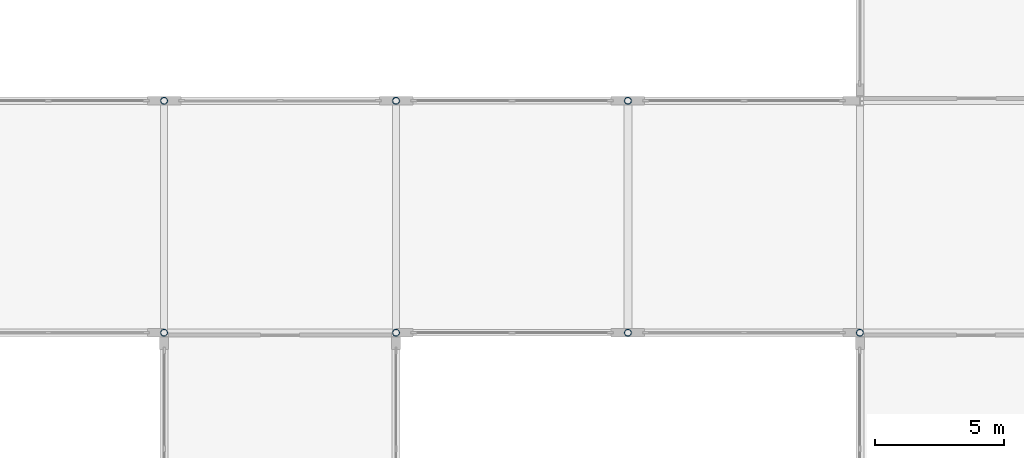
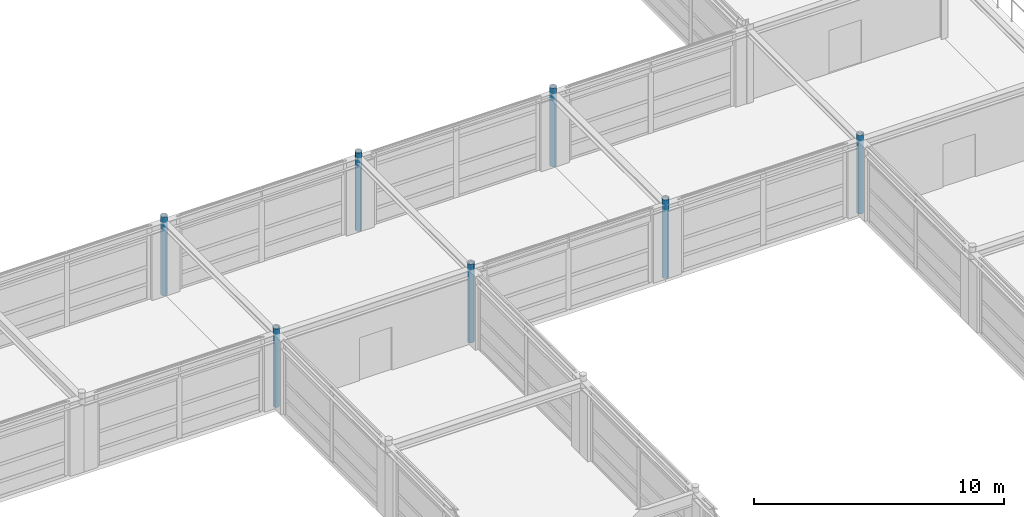
# One storey, part 13 of 79: 7 columns.
"""IFC4 building model written with IfcOpenShell, lengths in metres."""

from ifc_helpers import new_model, si_unit, direction, frame, origin, origin_2d, place, context, subcontext, project, spatial, hollow_circle, extrude, material, material_profile, profile_set, type_object, element, save


model = new_model("IFC4")

# Units and contexts
model_context = context("Model", 3, precision=1e-05, world=origin(), true_north=direction((0.0, 1.0)))
body_context = subcontext(model_context, "Body", "Model", "MODEL_VIEW")
ifc_project = project(units=[si_unit("LENGTHUNIT", "METRE"), si_unit("AREAUNIT", "SQUARE_METRE"), si_unit("VOLUMEUNIT", "CUBIC_METRE"), si_unit("PLANEANGLEUNIT", "RADIAN"), si_unit("MASSUNIT", "GRAM", prefix="KILO")], contexts=[model_context])

# Site, building, storey
site_placement = place(None, origin())
site = spatial("IfcSite", under=ifc_project, at=site_placement, CompositionType="ELEMENT")
building_placement = place(site_placement, origin())
building = spatial("IfcBuilding", under=site, at=building_placement, Name="Palais des Congres Ocreval", CompositionType="ELEMENT")
storey_placement = place(building_placement, frame((0.0, 0.0, 4.320068359375)))
storey = spatial("IfcBuildingStorey", under=building, at=storey_placement, Name="L01", CompositionType="ELEMENT", Elevation=4.320068359375)

# Columns
ifc_material = material(Name="Steel S355", Category="steel")
ifc_material_profile = material_profile(ifc_material, hollow_circle(Radius=0.136474609375, WallThickness=0.012451171875, at=origin_2d()), Name="CHS 273x12.5")
ifc_profile_set = profile_set([ifc_material_profile], Name="Steel S355")
column_type = type_object("IfcColumnType", Name="Column CHS 273x12.5 Steel S355", PredefinedType="COLUMN", material=ifc_profile_set)
for number, where, z_axis, x_axis, name in (
    (1, (72.0, 72.0, 0.0), (0.0, 0.0, 1.0), (1.0, 0.0, 0.0), "Column C17 L01"),
    (2, (72.0, 81.0, 0.0), (0.0, 0.0, 1.0), (1.0, 0.0, 0.0), "Column C17 L01"),
    (3, (81.0, 72.0, 0.0), (0.0, 0.0, 1.0), (1.0, 0.0, 0.0), "Column C17 L01"),
    (4, (81.0, 81.0, 0.0), (0.0, 0.0, 1.0), (1.0, 0.0, 0.0), "Column C17 L01"),
    (5, (90.0, 72.0, 0.0), (0.0, 0.0, 1.0), (1.0, 0.0, 0.0), "Column C17 L01"),
    (6, (90.0, 81.0, 0.0), (0.0, 0.0, 1.0), (1.0, 0.0, 0.0), "Column C17 L01"),
    (7, (99.0, 72.0, 0.0), (0.0, 0.0, 1.0), (1.0, 0.0, 0.0), "Column C17 L01"),
):
    element("IfcColumn", number, at=place(storey_placement, frame(where, z_axis=z_axis, x_axis=x_axis)), inside=storey, type_object=column_type, Name=name, PredefinedType="COLUMN", context=body_context, shape_type="SweptSolid", body=[
        extrude(hollow_circle(Radius=0.136474609375, WallThickness=0.012451171875, at=origin_2d()), origin(), (0.0, 0.0, 1.0), 3.83984375),
    ])

save(model, "model.ifc")
